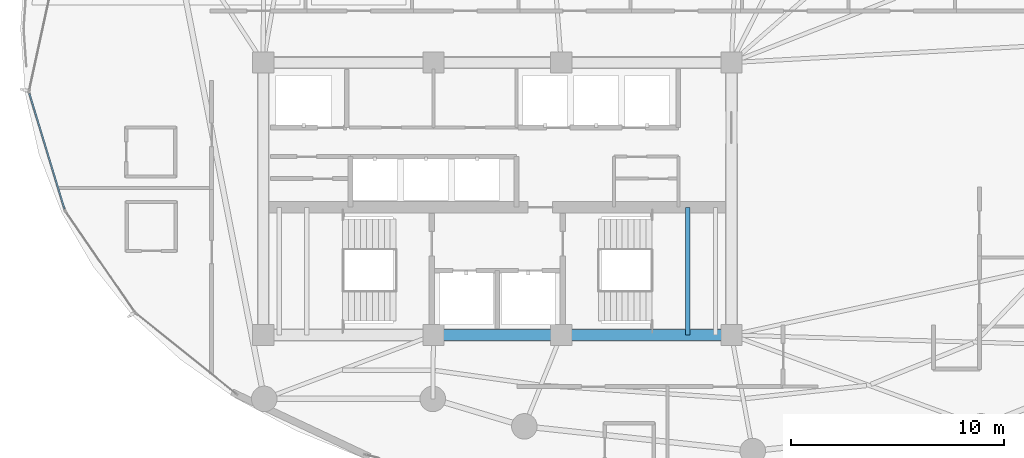
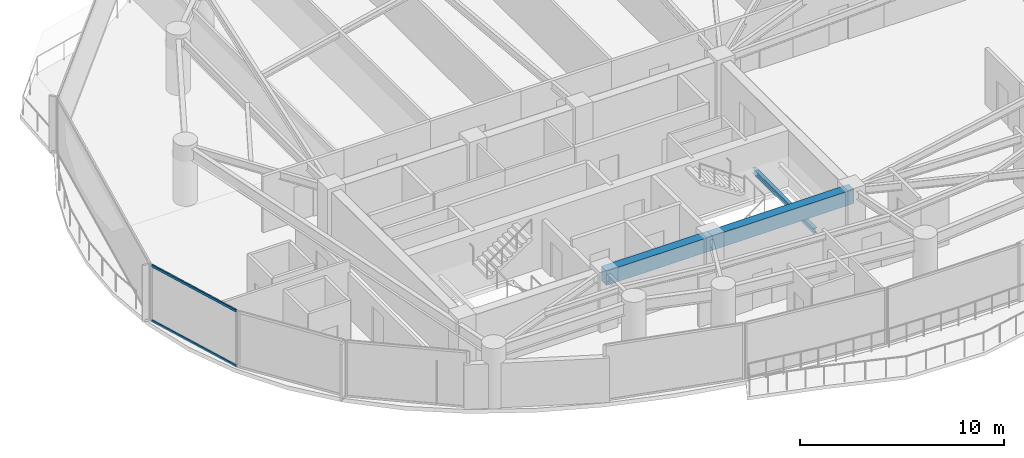
# One storey, part 7 of 34: 3 beams, 2 members, 1 element without a shape of its own.
"""IFC4 building model written with IfcOpenShell, lengths in metres."""

import ifcopenshell
import ifcopenshell.guid

model = None  # the IFC model being written
_history = None  # IfcOwnerHistory: only IFC2X3 demands one
_inside = {}  # id of a spatial element -> (the spatial element, [elements in it])
_under = {}  # id of a project, library or spatial element -> (it, [spatial elements below it])
_declared = {}  # id of a project -> (the project, [libraries it declares])
_typed = {}  # id of a type object -> (the type object, [elements of that type])
_made_of = {}  # id of a material, layer set ... -> (it, [elements and type objects made of it])


def new_model(schema):
    """Start an empty IFC model of exactly this schema.

    Asked for "IFC4X3", IfcOpenShell would pick the latest addendum, in which some entities
    have other attributes; the version numbers below select the first issue.
    IFC2X3 requires an IfcOwnerHistory on every rooted entity: one is made here for all.
    """
    global model, _history
    if schema == "IFC4X3":
        model = ifcopenshell.file(schema_version=(4, 3, 0, 0))
    else:
        model = ifcopenshell.file(schema=schema)
    _inside.clear()
    _under.clear()
    _declared.clear()
    _typed.clear()
    _made_of.clear()
    _history = None
    if model.schema == "IFC2X3":
        org = make("IfcOrganization", Name="unknown")
        user = make(
            "IfcPersonAndOrganization",
            ThePerson=make("IfcPerson", FamilyName="unknown"),
            TheOrganization=org,
        )
        app = make(
            "IfcApplication",
            ApplicationDeveloper=org,
            Version="unknown",
            ApplicationFullName="unknown",
            ApplicationIdentifier="unknown",
        )
        _history = make(
            "IfcOwnerHistory",
            OwningUser=user,
            OwningApplication=app,
            ChangeAction="ADDED",
            CreationDate=0,
        )
    return model


def make(cls, **values):
    """One entity of the class cls with the attributes given. An attribute that is None is left unset."""
    return model.create_entity(
        cls, **{name: value for name, value in values.items() if value is not None}
    )


def rooted(cls, **values):
    """An entity with a GlobalId (a new one), such as an element, a storey or a relation."""
    return make(cls, GlobalId=ifcopenshell.guid.new(), OwnerHistory=_history, **values)


def si_unit(unit_type, name, prefix=None):
    """IfcSIUnit, for example si_unit("LENGTHUNIT", "METRE", prefix="MILLI")."""
    return make("IfcSIUnit", UnitType=unit_type, Prefix=prefix, Name=name)


def assignment(units):
    """IfcUnitAssignment: the units of a project."""
    return None if units is None else make("IfcUnitAssignment", Units=units)


def point(xyz):
    """IfcCartesianPoint."""
    return None if xyz is None else make("IfcCartesianPoint", Coordinates=xyz)


def direction(xyz):
    """IfcDirection."""
    return None if xyz is None else make("IfcDirection", DirectionRatios=xyz)


def frame(location, z_axis=None, x_axis=None):
    """IfcAxis2Placement3D, a coordinate frame: its origin and axes. An axis left out is left unset."""
    return make(
        "IfcAxis2Placement3D",
        Location=point(location),
        Axis=direction(z_axis),
        RefDirection=direction(x_axis),
    )


def frame_2d(location, x_axis=None):
    """IfcAxis2Placement2D, a coordinate frame in the plane: its origin and x axis."""
    return make(
        "IfcAxis2Placement2D", Location=point(location), RefDirection=direction(x_axis)
    )


def origin():
    """The frame at (0, 0, 0) with its axes left unset."""
    return frame((0.0, 0.0, 0.0))


def origin_2d():
    """The frame at (0, 0) in the plane with its x axis left unset."""
    return frame_2d((0.0, 0.0))


def place(relative_to, where):
    """IfcLocalPlacement: puts the frame where relative to a parent placement (None: the world)."""
    return make(
        "IfcLocalPlacement", PlacementRelTo=relative_to, RelativePlacement=where
    )


def context(
    kind, dimensions, precision=None, world=None, true_north=None, identifier=None
):
    """IfcGeometricRepresentationContext, for example the 3D "Model" context."""
    return make(
        "IfcGeometricRepresentationContext",
        ContextIdentifier=identifier,
        ContextType=kind,
        CoordinateSpaceDimension=dimensions,
        Precision=precision,
        WorldCoordinateSystem=world,
        TrueNorth=true_north,
    )


def subcontext(parent, identifier, kind, view, scale=None):
    """IfcGeometricRepresentationSubContext, for example "Body" below "Model"."""
    return make(
        "IfcGeometricRepresentationSubContext",
        ContextIdentifier=identifier,
        ContextType=kind,
        ParentContext=parent,
        TargetScale=scale,
        TargetView=view,
    )


def project(units=None, contexts=None):
    """IfcProject with its units and contexts."""
    return rooted(
        "IfcProject",
        Name="project",
        RepresentationContexts=contexts,
        UnitsInContext=assignment(units),
    )


def spatial(cls, under=None, at=None, **own):
    """A site, building, storey or space (cls), placed at a placement, below another one or the project."""
    s = rooted(cls, ObjectPlacement=at, **own)
    if under is not None:
        _under.setdefault(under.id(), (under, []))[1].append(s)
    return s


def profile(cls, at=None, kind="AREA", **sizes):
    """A parametric profile (cls). Its sizes go by their IFC names, for example OverallWidth=200.0."""
    return make(cls, ProfileType=kind, Position=at, **sizes)


def rectangle(**sizes):
    """IfcRectangleProfileDef."""
    return profile("IfcRectangleProfileDef", **sizes)


def hollow_rectangle(**sizes):
    """IfcRectangleHollowProfileDef."""
    return profile("IfcRectangleHollowProfileDef", **sizes)


def i_section(**sizes):
    """IfcIShapeProfileDef."""
    return profile("IfcIShapeProfileDef", **sizes)


def extrude(swept, where, along, depth):
    """IfcExtrudedAreaSolid: the profile swept, set in the frame where, extruded along a direction by depth."""
    return make(
        "IfcExtrudedAreaSolid",
        SweptArea=swept,
        Position=where,
        ExtrudedDirection=direction(along),
        Depth=depth,
    )


def shape(context_of_items, identifier, shape_type, items):
    """IfcShapeRepresentation: the items that make up one representation, for example the "Body"."""
    return make(
        "IfcShapeRepresentation",
        ContextOfItems=context_of_items,
        RepresentationIdentifier=identifier,
        RepresentationType=shape_type,
        Items=items,
    )


def material(Name=None, Category=None):
    """IfcMaterial."""
    return make("IfcMaterial", Name=Name, Category=Category)


def layer(
    of_material, thickness, ventilated=None, Name=None, Category=None, Priority=None
):
    """IfcMaterialLayer: one layer of a wall or slab, of a material (None: an air gap)."""
    return make(
        "IfcMaterialLayer",
        Material=of_material,
        LayerThickness=thickness,
        IsVentilated=ventilated,
        Name=Name,
        Category=Category,
        Priority=Priority,
    )


def layer_set(layers, Name=None):
    """IfcMaterialLayerSet."""
    return make("IfcMaterialLayerSet", MaterialLayers=layers, LayerSetName=Name)


def material_profile(
    of_material, cross_section, Name=None, Category=None, Priority=None
):
    """IfcMaterialProfile: a cross section and its material."""
    return make(
        "IfcMaterialProfile",
        Name=Name,
        Material=of_material,
        Profile=cross_section,
        Priority=Priority,
        Category=Category,
    )


def profile_set(profiles, Name=None, composite=None):
    """IfcMaterialProfileSet."""
    return make(
        "IfcMaterialProfileSet",
        Name=Name,
        MaterialProfiles=profiles,
        CompositeProfile=composite,
    )


def made_of(thing, what):
    """Note that an element or type object is made of a material, layer set ...; save() writes the relation."""
    if what is not None:
        _made_of.setdefault(what.id(), (what, []))[1].append(thing)
    return thing


def type_object(cls, material=None, **own):
    """A type object (cls), such as IfcWallType, which elements share."""
    return made_of(rooted(cls, **own), material)


def element(
    cls,
    number,
    at=None,
    inside=None,
    cuts=None,
    type_object=None,
    material=None,
    context=None,
    identifier="Body",
    shape_type=None,
    held_by="IfcProductDefinitionShape",
    body=None,
    shapes=None,
    **own,
):
    """One element of the class cls, such as IfcWall. Its Tag is "e" and its number.

    at: its placement. inside: the storey or other place that contains it. cuts: it is an
    opening in that element (IfcRelVoidsElement). A single representation is given by context,
    identifier, shape_type and body (its items); several are given by shapes. held_by: the class
    of the entity that holds the representations. save() writes the other relations.
    """
    e = rooted(cls, Tag="e%d" % number, ObjectPlacement=at, **own)
    if body is not None:
        shapes = [shape(context, identifier, shape_type, body)]
    if shapes is not None:
        e.Representation = make(held_by, Representations=shapes)
    if inside is not None:
        _inside.setdefault(inside.id(), (inside, []))[1].append(e)
    if cuts is not None:
        rooted(
            "IfcRelVoidsElement", RelatingBuildingElement=cuts, RelatedOpeningElement=e
        )
    if type_object is not None:
        _typed.setdefault(type_object.id(), (type_object, []))[1].append(e)
    return made_of(e, material)


def aggregate(whole, parts):
    """IfcRelAggregates: a whole, such as a stair, and the parts it consists of."""
    return rooted("IfcRelAggregates", RelatingObject=whole, RelatedObjects=parts)


def save(model, path):
    """Write the relations noted so far, then the file.

    IfcRelAggregates (storeys below a building ...), IfcRelContainedInSpatialStructure (elements
    in a storey), IfcRelDefinesByType, IfcRelAssociatesMaterial and IfcRelDeclares: one each for
    every whole, place, type object, material and project.
    """
    for whole, parts in _under.values():
        aggregate(whole, parts)
    for where, things in _inside.values():
        rooted(
            "IfcRelContainedInSpatialStructure",
            RelatedElements=things,
            RelatingStructure=where,
        )
    for kind, things in _typed.values():
        rooted("IfcRelDefinesByType", RelatedObjects=things, RelatingType=kind)
    for what, things in _made_of.values():
        rooted("IfcRelAssociatesMaterial", RelatedObjects=things, RelatingMaterial=what)
    for by, libraries in _declared.values():
        rooted("IfcRelDeclares", RelatingContext=by, RelatedDefinitions=libraries)
    model.write(path)


model = new_model("IFC4")

# Units and contexts
model_context = context("Model", 3, precision=1e-05, world=origin(), true_north=direction((0.0, 1.0)))
body_context = subcontext(model_context, "Body", "Model", "MODEL_VIEW")
ifc_project = project(units=[si_unit("LENGTHUNIT", "METRE"), si_unit("AREAUNIT", "SQUARE_METRE"), si_unit("VOLUMEUNIT", "CUBIC_METRE"), si_unit("PLANEANGLEUNIT", "RADIAN"), si_unit("MASSUNIT", "GRAM", prefix="KILO")], contexts=[model_context])

# Site, building, storey
site_placement = place(None, origin())
site = spatial("IfcSite", under=ifc_project, at=site_placement, CompositionType="ELEMENT")
building_placement = place(site_placement, origin())
building = spatial("IfcBuilding", under=site, at=building_placement, Name="Kazevale Care Tower and Concert Hall", CompositionType="ELEMENT")
storey_placement = place(building_placement, frame((0.0, 0.0, 156.60009765625)))
storey = spatial("IfcBuildingStorey", under=building, at=storey_placement, Name="L41", CompositionType="ELEMENT", Elevation=156.60009765625)

# Curtain wall, members
ifc_material_1 = material(Name="Aluminium 6063-T6 and Low-E Glass", Category="aluminium")
ifc_layer = layer(ifc_material_1, 0.179931640625)
ifc_layer_set = layer_set([ifc_layer], Name="Aluminium 6063-T6 and Low-E Glass")
curtain_wall_type = type_object("IfcCurtainWallType", Name="Waist & Upper Residential Curtain Wall CW-4", PredefinedType="NOTDEFINED", material=ifc_layer_set)
curtain_wall_placement = place(storey_placement, origin())
curtain_wall = element("IfcCurtainWall", 1, at=curtain_wall_placement, inside=storey, type_object=curtain_wall_type, Name="cw:L41:f12", PredefinedType="NOTDEFINED")
ifc_material_2 = material(Name="Aluminium 6063-T6", Category="aluminium")
ifc_material_profile_1 = material_profile(ifc_material_2, hollow_rectangle(XDim=0.080078125, YDim=0.139892578125, WallThickness=0.00390625, at=origin_2d()), Name="ALU80x140x4")
ifc_profile_set_1 = profile_set([ifc_material_profile_1], Name="Aluminium 6063-T6")
member_type = type_object("IfcMemberType", Name="CW-4 Transom ALU80x140x4", PredefinedType="USERDEFINED", material=ifc_profile_set_1)
member_1_placement = place(storey_placement, frame((12.669677734375, 29.517578125, 0.039794921875), z_axis=(-0.290964759976, 0.956733770937, 0.0), x_axis=(-0.956733770937, -0.290964759976, 0.0)))
member_1 = element("IfcMember", 2, at=member_1_placement, type_object=member_type, Name="CW-4 transom 1.1", ObjectType="TRANSOM", PredefinedType="USERDEFINED", context=body_context, shape_type="SweptSolid", body=[
    extrude(hollow_rectangle(XDim=0.080078125, YDim=0.139892578125, WallThickness=0.00390625, at=origin_2d()), origin(), (0.0, 0.0, 1.0), 5.675537109375),
])
member_2_placement = place(storey_placement, frame((12.669677734375, 29.517578125, 3.31982421875), z_axis=(-0.290964759976, 0.956733770937, 0.0), x_axis=(-0.956733770937, -0.290964759976, 0.0)))
member_2 = element("IfcMember", 3, at=member_2_placement, type_object=member_type, Name="CW-4 transom 1.2", ObjectType="TRANSOM", PredefinedType="USERDEFINED", context=body_context, shape_type="SweptSolid", body=[
    extrude(hollow_rectangle(XDim=0.080078125, YDim=0.139892578125, WallThickness=0.00390625, at=origin_2d()), origin(), (0.0, 0.0, 1.0), 5.675537109375),
])
aggregate(curtain_wall, [member_1, member_2])

# Beams
ifc_material_3 = material(Name="Concrete C60", Category="concrete")
ifc_material_profile_2 = material_profile(ifc_material_3, rectangle(XDim=0.5, YDim=0.85009765625, at=origin_2d()), Name="RC-B500x850")
ifc_profile_set_2 = profile_set([ifc_material_profile_2], Name="Concrete C60")
beam_type_1 = type_object("IfcBeamType", Name="Core Coupling Beam RC500x850", PredefinedType="LINTEL", material=ifc_profile_set_2)
beam_1_placement = place(storey_placement, frame((30.0, 23.60009765625, 2.934814453125), z_axis=(1.0, 0.0, 0.0), x_axis=(0.0, 1.0, 0.0)))
element("IfcBeam", 4, at=beam_1_placement, inside=storey, type_object=beam_type_1, Name="beam:L41:coretie:2", PredefinedType="LINTEL", context=body_context, shape_type="SweptSolid", body=[
    extrude(rectangle(XDim=0.5, YDim=0.85009765625, at=origin_2d()), origin(), (0.0, 0.0, 1.0), 6.0),
])
beam_2_placement = place(storey_placement, frame((36.0, 23.60009765625, 2.934814453125), z_axis=(1.0, 0.0, 0.0), x_axis=(0.0, 1.0, 0.0)))
element("IfcBeam", 5, at=beam_2_placement, inside=storey, type_object=beam_type_1, Name="beam:L41:coretie:3", PredefinedType="LINTEL", context=body_context, shape_type="SweptSolid", body=[
    extrude(rectangle(XDim=0.5, YDim=0.85009765625, at=origin_2d()), origin(), (0.0, 0.0, 1.0), 8.0),
])
ifc_material_4 = material(Name="Steel ASTM A572 Gr 50", Category="steel")
ifc_material_profile_3 = material_profile(ifc_material_4, i_section(OverallWidth=0.202880859375, OverallDepth=0.302978515625, WebThickness=0.007568359375, FlangeThickness=0.01318359375, at=origin_2d()), Name="W310x60")
ifc_profile_set_3 = profile_set([ifc_material_profile_3], Name="Steel ASTM A572 Gr 50")
beam_type_2 = type_object("IfcBeamType", Name="Stair & Balcony Trimmer W310x60", PredefinedType="BEAM", material=ifc_profile_set_3)
beam_3_placement = place(storey_placement, frame((41.949951171875, 23.60009765625, 1.448486328125), z_axis=(0.0, 1.0, 0.0), x_axis=(-1.0, 0.0, 0.0)))
element("IfcBeam", 6, at=beam_3_placement, inside=storey, type_object=beam_type_2, Name="beam:L41:sttrim:ST2", PredefinedType="BEAM", context=body_context, shape_type="SweptSolid", body=[
    extrude(i_section(OverallWidth=0.202880859375, OverallDepth=0.302978515625, WebThickness=0.007568359375, FlangeThickness=0.01318359375, at=origin_2d()), origin(), (0.0, 0.0, 1.0), 6.0),
])

save(model, "model.ifc")
